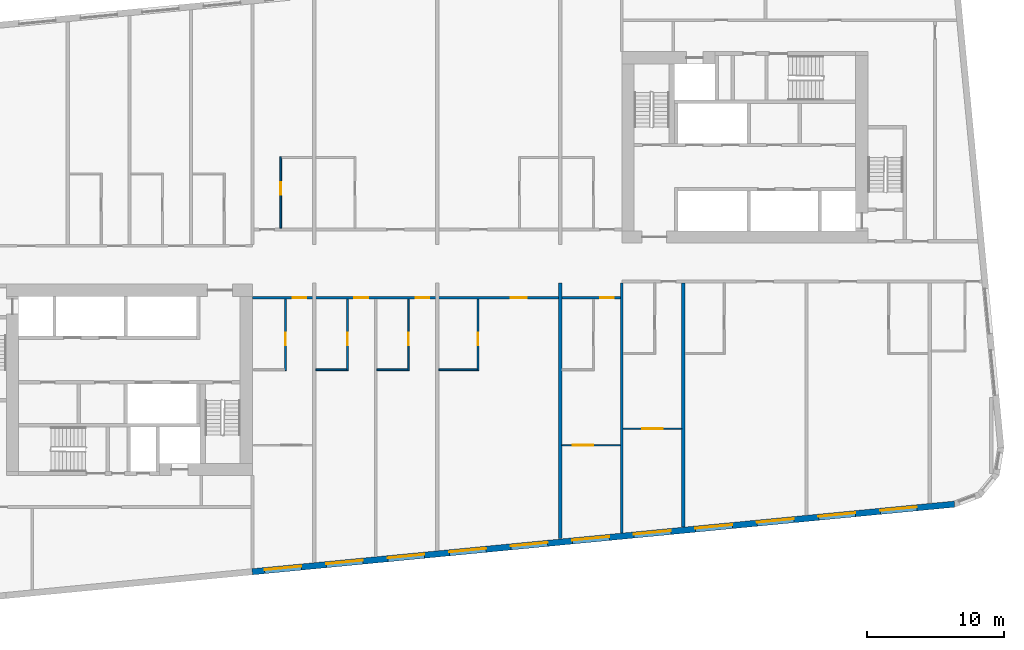
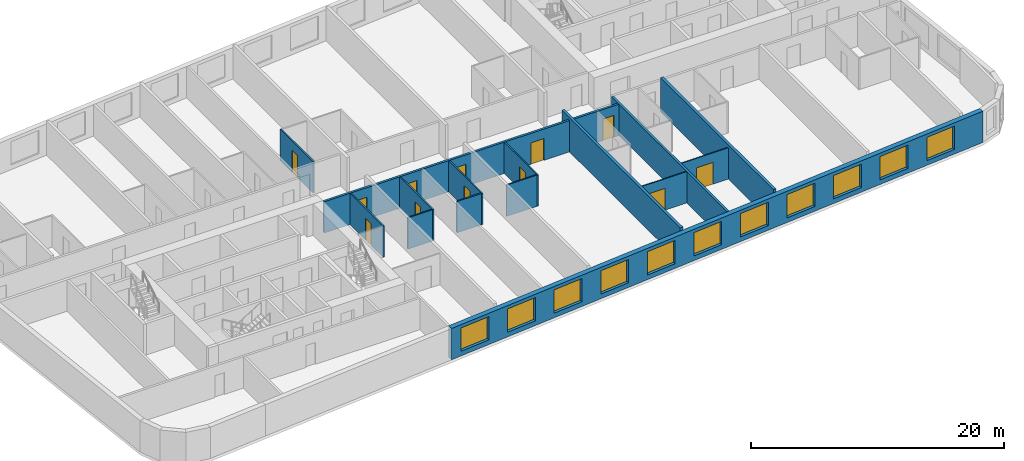
# One storey, part 4 of 12: 15 walls, 12 doors, 11 windows, 23 openings.
"""IFC4 building model written with IfcOpenShell, lengths in metres."""

from ifc_helpers import new_model, si_unit, direction, frame, frame_2d, origin, place, context, subcontext, project, spatial, rectangle, extrude, material, layer, layer_set, type_object, element, fill, save


model = new_model("IFC4")

# Units and contexts
model_context = context("Model", 3, precision=1e-05, world=origin(), true_north=direction((0.0, 1.0)))
body_context = subcontext(model_context, "Body", "Model", "MODEL_VIEW")
ifc_project = project(units=[si_unit("LENGTHUNIT", "METRE"), si_unit("AREAUNIT", "SQUARE_METRE"), si_unit("VOLUMEUNIT", "CUBIC_METRE"), si_unit("PLANEANGLEUNIT", "RADIAN"), si_unit("MASSUNIT", "GRAM", prefix="KILO")], contexts=[model_context])

# Site, building, storey
site_placement = place(None, origin())
site = spatial("IfcSite", under=ifc_project, at=site_placement, CompositionType="ELEMENT")
building_placement = place(site_placement, origin())
building = spatial("IfcBuilding", under=site, at=building_placement, Name="Kajstack Hotel Tower", CompositionType="ELEMENT")
storey_placement = place(building_placement, frame((0.0, 0.0, 183.39990234375)))
storey = spatial("IfcBuildingStorey", under=building, at=storey_placement, Name="L43", CompositionType="ELEMENT", Elevation=183.39990234375)

# Wall, openings, doors
ifc_material_1 = material(Name="Gypsum board on steel studs, mineral wool", Category="steel")
ifc_layer_1 = layer(ifc_material_1, 0.199951171875)
ifc_layer_set_1 = layer_set([ifc_layer_1], Name="Corridor wall 200")
wall_type_1 = type_object("IfcWallType", Name="Corridor wall 200", PredefinedType="PARTITIONING", material=ifc_layer_set_1)
wall_1_placement = place(storey_placement, frame((-13.5, -2.5, 0.0), z_axis=(0.0, 0.0, 1.0), x_axis=(1.0, 0.0, 0.0)))
wall_1 = element("IfcWall", 1, at=wall_1_placement, inside=storey, type_object=wall_type_1, Name="G-wall-L43-025", PredefinedType="PARTITIONING", context=body_context, shape_type="SweptSolid", body=[
    extrude(rectangle(XDim=27.0, YDim=0.199951171875, at=frame_2d((13.5, 0.0))), origin(), (0.0, 0.0, 1.0), 3.02001953125),
])
opening_1_placement = place(wall_1_placement, frame((2.925048828125, 0.0, 0.0)))
opening_1 = element("IfcOpeningElement", 2, at=opening_1_placement, cuts=wall_1, Name="Opening 43019", PredefinedType="OPENING", context=body_context, shape_type="SweptSolid", body=[
    extrude(rectangle(XDim=1.0, YDim=2.10009765625, at=frame_2d((0.5, 1.050048828125))), frame((0.0, 0.10986328125, 0.0), z_axis=(0.0, -1.0, 0.0), x_axis=(1.0, 0.0, 0.0)), (0.0, 0.0, 1.0), 0.219970703125),
])
opening_2_placement = place(wall_1_placement, frame((7.449951171875, 0.0, 0.0)))
opening_2 = element("IfcOpeningElement", 3, at=opening_2_placement, cuts=wall_1, Name="Opening 43022", PredefinedType="OPENING", context=body_context, shape_type="SweptSolid", body=[
    extrude(rectangle(XDim=1.0, YDim=2.10009765625, at=frame_2d((0.5, 1.050048828125))), frame((0.0, 0.10986328125, 0.0), z_axis=(0.0, -1.0, 0.0), x_axis=(1.0, 0.0, 0.0)), (0.0, 0.0, 1.0), 0.219970703125),
])
opening_3_placement = place(wall_1_placement, frame((11.925048828125, 0.0, 0.0)))
opening_3 = element("IfcOpeningElement", 4, at=opening_3_placement, cuts=wall_1, Name="Opening 43024", PredefinedType="OPENING", context=body_context, shape_type="SweptSolid", body=[
    extrude(rectangle(XDim=1.0, YDim=2.10009765625, at=frame_2d((0.5, 1.050048828125))), frame((0.0, 0.10986328125, 0.0), z_axis=(0.0, -1.0, 0.0), x_axis=(1.0, 0.0, 0.0)), (0.0, 0.0, 1.0), 0.219970703125),
])
opening_4_placement = place(wall_1_placement, frame((18.862060546875, 0.0, 0.0)))
opening_4 = element("IfcOpeningElement", 5, at=opening_4_placement, cuts=wall_1, Name="Opening 43026", PredefinedType="OPENING", context=body_context, shape_type="SweptSolid", body=[
    extrude(rectangle(XDim=1.199951171875, YDim=2.10009765625, at=frame_2d((0.60009765625, 1.050048828125))), frame((0.0, 0.10986328125, 0.0), z_axis=(0.0, -1.0, 0.0), x_axis=(1.0, 0.0, 0.0)), (0.0, 0.0, 1.0), 0.219970703125),
])
opening_5_placement = place(wall_1_placement, frame((25.425048828125, 0.0, 0.0)))
opening_5 = element("IfcOpeningElement", 6, at=opening_5_placement, cuts=wall_1, Name="Opening 43028", PredefinedType="OPENING", context=body_context, shape_type="SweptSolid", body=[
    extrude(rectangle(XDim=1.0, YDim=2.10009765625, at=frame_2d((0.5, 1.050048828125))), frame((0.0, 0.10986328125, 0.0), z_axis=(0.0, -1.0, 0.0), x_axis=(1.0, 0.0, 0.0)), (0.0, 0.0, 1.0), 0.219970703125),
])
ifc_material_2 = material(Name="Oak veneer on timber core, fire-rated leaf", Category="wood")
door_type_1 = type_object("IfcDoorType", Name="Flat entrance door 1000", OperationType="SINGLE_SWING_LEFT", PredefinedType="DOOR", material=ifc_material_2)
door_1_placement = place(opening_1_placement, origin())
door_1 = element("IfcDoor", 7, at=door_1_placement, inside=storey, type_object=door_type_1, Name="G-door-L43-19", OperationType="SINGLE_SWING_LEFT", OverallHeight=2.10009765625, OverallWidth=1.0, PredefinedType="DOOR", context=body_context, shape_type="SweptSolid", body=[
    extrude(rectangle(XDim=1.0, YDim=2.10009765625, at=frame_2d((0.5, 1.050048828125))), frame((0.0, 0.02490234375, 0.0), z_axis=(0.0, -1.0, 0.0), x_axis=(1.0, 0.0, 0.0)), (0.0, 0.0, 1.0), 0.050048828125),
])
fill(opening_1, door_1)
door_2_placement = place(opening_2_placement, origin())
door_2 = element("IfcDoor", 8, at=door_2_placement, inside=storey, type_object=door_type_1, Name="G-door-L43-22", OperationType="SINGLE_SWING_RIGHT", OverallHeight=2.10009765625, OverallWidth=1.0, PredefinedType="DOOR", context=body_context, shape_type="SweptSolid", body=[
    extrude(rectangle(XDim=1.0, YDim=2.10009765625, at=frame_2d((0.5, 1.050048828125))), frame((0.0, 0.02490234375, 0.0), z_axis=(0.0, -1.0, 0.0), x_axis=(1.0, 0.0, 0.0)), (0.0, 0.0, 1.0), 0.050048828125),
])
fill(opening_2, door_2)
door_3_placement = place(opening_3_placement, origin())
door_3 = element("IfcDoor", 9, at=door_3_placement, inside=storey, type_object=door_type_1, Name="G-door-L43-24", OperationType="SINGLE_SWING_RIGHT", OverallHeight=2.10009765625, OverallWidth=1.0, PredefinedType="DOOR", context=body_context, shape_type="SweptSolid", body=[
    extrude(rectangle(XDim=1.0, YDim=2.10009765625, at=frame_2d((0.5, 1.050048828125))), frame((0.0, 0.02490234375, 0.0), z_axis=(0.0, -1.0, 0.0), x_axis=(1.0, 0.0, 0.0)), (0.0, 0.0, 1.0), 0.050048828125),
])
fill(opening_3, door_3)
door_4_placement = place(opening_5_placement, origin())
door_4 = element("IfcDoor", 10, at=door_4_placement, inside=storey, type_object=door_type_1, Name="G-door-L43-28", OperationType="SINGLE_SWING_LEFT", OverallHeight=2.10009765625, OverallWidth=1.0, PredefinedType="DOOR", context=body_context, shape_type="SweptSolid", body=[
    extrude(rectangle(XDim=1.0, YDim=2.10009765625, at=frame_2d((0.5, 1.050048828125))), frame((0.0, 0.02490234375, 0.0), z_axis=(0.0, -1.0, 0.0), x_axis=(1.0, 0.0, 0.0)), (0.0, 0.0, 1.0), 0.050048828125),
])
fill(opening_5, door_4)
door_type_2 = type_object("IfcDoorType", Name="Flat entrance door 1200", OperationType="SINGLE_SWING_LEFT", PredefinedType="DOOR", material=ifc_material_2)
door_5_placement = place(opening_4_placement, origin())
door_5 = element("IfcDoor", 11, at=door_5_placement, inside=storey, type_object=door_type_2, Name="G-door-L43-26", OperationType="SINGLE_SWING_LEFT", OverallHeight=2.10009765625, OverallWidth=1.199951171875, PredefinedType="DOOR", context=body_context, shape_type="SweptSolid", body=[
    extrude(rectangle(XDim=1.199951171875, YDim=2.10009765625, at=frame_2d((0.60009765625, 1.050048828125))), frame((0.0, 0.02490234375, 0.0), z_axis=(0.0, -1.0, 0.0), x_axis=(1.0, 0.0, 0.0)), (0.0, 0.0, 1.0), 0.050048828125),
])
fill(opening_4, door_5)

# Wall
ifc_material_3 = material(Name="Twin-frame gypsum board on steel studs, mineral wool", Category="steel")
ifc_layer_2 = layer(ifc_material_3, 0.199951171875)
ifc_layer_set_2 = layer_set([ifc_layer_2], Name="Demising wall 200")
wall_type_2 = type_object("IfcWallType", Name="Demising wall 200", PredefinedType="PARTITIONING", material=ifc_layer_set_2)
wall_2_placement = place(storey_placement, frame((13.5, -19.700927734375, 0.0), z_axis=(0.0, 0.0, 1.0), x_axis=(0.0, 1.0, 0.0)))
element("IfcWall", 12, at=wall_2_placement, inside=storey, type_object=wall_type_2, Name="G-wall-L43-037", PredefinedType="PARTITIONING", context=body_context, shape_type="SweptSolid", body=[
    extrude(rectangle(XDim=18.301025390625, YDim=0.199951171875, at=frame_2d((9.150390625, 0.0))), origin(), (0.0, 0.0, 1.0), 3.02001953125),
])

# Wall, openings, windows
ifc_material_4 = material(Name="Terracotta-faced brick masonry", Category="masonry")
ifc_layer_3 = layer(ifc_material_4, 0.449951171875)
ifc_layer_set_3 = layer_set([ifc_layer_3], Name="EW-TERRA")
wall_type_3 = type_object("IfcWallType", Name="EW-TERRA", PredefinedType="SOLIDWALL", material=ifc_layer_set_3)
wall_3_placement = place(storey_placement, frame((-13.521484375, -22.528564453125, 0.0), z_axis=(0.0, 0.0, 1.0), x_axis=(0.995396436651, 0.095843277819, 0.0)))
wall_3 = element("IfcWall", 13, at=wall_3_placement, inside=storey, type_object=wall_type_3, Name="E-wall-L43-04-02", PredefinedType="SOLIDWALL", context=body_context, shape_type="SweptSolid", body=[
    extrude(rectangle(XDim=51.57763671875, YDim=0.449951171875, at=frame_2d((25.788818359375, 0.0))), origin(), (0.0, 0.0, 1.0), 3.02001953125),
])
opening_6_placement = place(wall_3_placement, frame((0.910400390625, 0.0, 0.449951171875)))
opening_6 = element("IfcOpeningElement", 14, at=opening_6_placement, cuts=wall_3, Name="Opening W1", PredefinedType="OPENING", context=body_context, shape_type="SweptSolid", body=[
    extrude(rectangle(XDim=2.699951171875, YDim=2.25, at=frame_2d((1.35009765625, 1.125))), frame((0.0, 0.23486328125, 0.0), z_axis=(0.0, -1.0, 0.0), x_axis=(1.0, 0.0, 0.0)), (0.0, 0.0, 1.0), 0.469970703125),
])
opening_7_placement = place(wall_3_placement, frame((5.431396484375, 0.0, 0.449951171875)))
opening_7 = element("IfcOpeningElement", 15, at=opening_7_placement, cuts=wall_3, Name="Opening W1", PredefinedType="OPENING", context=body_context, shape_type="SweptSolid", body=[
    extrude(rectangle(XDim=2.699951171875, YDim=2.25, at=frame_2d((1.35009765625, 1.125))), frame((0.0, 0.23486328125, 0.0), z_axis=(0.0, -1.0, 0.0), x_axis=(1.0, 0.0, 0.0)), (0.0, 0.0, 1.0), 0.469970703125),
])
opening_8_placement = place(wall_3_placement, frame((9.9521484375, 0.0, 0.449951171875)))
opening_8 = element("IfcOpeningElement", 16, at=opening_8_placement, cuts=wall_3, Name="Opening W1", PredefinedType="OPENING", context=body_context, shape_type="SweptSolid", body=[
    extrude(rectangle(XDim=2.699951171875, YDim=2.25, at=frame_2d((1.35009765625, 1.125))), frame((0.0, 0.23486328125, 0.0), z_axis=(0.0, -1.0, 0.0), x_axis=(1.0, 0.0, 0.0)), (0.0, 0.0, 1.0), 0.469970703125),
])
opening_9_placement = place(wall_3_placement, frame((14.472900390625, 0.0, 0.449951171875)))
opening_9 = element("IfcOpeningElement", 17, at=opening_9_placement, cuts=wall_3, Name="Opening W1", PredefinedType="OPENING", context=body_context, shape_type="SweptSolid", body=[
    extrude(rectangle(XDim=2.699951171875, YDim=2.25, at=frame_2d((1.35009765625, 1.125))), frame((0.0, 0.23486328125, 0.0), z_axis=(0.0, -1.0, 0.0), x_axis=(1.0, 0.0, 0.0)), (0.0, 0.0, 1.0), 0.469970703125),
])
opening_10_placement = place(wall_3_placement, frame((18.99365234375, 0.0, 0.449951171875)))
opening_10 = element("IfcOpeningElement", 18, at=opening_10_placement, cuts=wall_3, Name="Opening W1", PredefinedType="OPENING", context=body_context, shape_type="SweptSolid", body=[
    extrude(rectangle(XDim=2.699951171875, YDim=2.25, at=frame_2d((1.35009765625, 1.125))), frame((0.0, 0.23486328125, 0.0), z_axis=(0.0, -1.0, 0.0), x_axis=(1.0, 0.0, 0.0)), (0.0, 0.0, 1.0), 0.469970703125),
])
opening_11_placement = place(wall_3_placement, frame((23.514404296875, 0.0, 0.449951171875)))
opening_11 = element("IfcOpeningElement", 19, at=opening_11_placement, cuts=wall_3, Name="Opening W1", PredefinedType="OPENING", context=body_context, shape_type="SweptSolid", body=[
    extrude(rectangle(XDim=2.699951171875, YDim=2.25, at=frame_2d((1.35009765625, 1.125))), frame((0.0, 0.23486328125, 0.0), z_axis=(0.0, -1.0, 0.0), x_axis=(1.0, 0.0, 0.0)), (0.0, 0.0, 1.0), 0.469970703125),
])
opening_12_placement = place(wall_3_placement, frame((28.035400390625, 0.0, 0.449951171875)))
opening_12 = element("IfcOpeningElement", 20, at=opening_12_placement, cuts=wall_3, Name="Opening W1", PredefinedType="OPENING", context=body_context, shape_type="SweptSolid", body=[
    extrude(rectangle(XDim=2.699951171875, YDim=2.25, at=frame_2d((1.35009765625, 1.125))), frame((0.0, 0.23486328125, 0.0), z_axis=(0.0, -1.0, 0.0), x_axis=(1.0, 0.0, 0.0)), (0.0, 0.0, 1.0), 0.469970703125),
])
opening_13_placement = place(wall_3_placement, frame((32.55615234375, 0.0, 0.449951171875)))
opening_13 = element("IfcOpeningElement", 21, at=opening_13_placement, cuts=wall_3, Name="Opening W1", PredefinedType="OPENING", context=body_context, shape_type="SweptSolid", body=[
    extrude(rectangle(XDim=2.699951171875, YDim=2.25, at=frame_2d((1.35009765625, 1.125))), frame((0.0, 0.23486328125, 0.0), z_axis=(0.0, -1.0, 0.0), x_axis=(1.0, 0.0, 0.0)), (0.0, 0.0, 1.0), 0.469970703125),
])
opening_14_placement = place(wall_3_placement, frame((37.076904296875, 0.0, 0.449951171875)))
opening_14 = element("IfcOpeningElement", 22, at=opening_14_placement, cuts=wall_3, Name="Opening W1", PredefinedType="OPENING", context=body_context, shape_type="SweptSolid", body=[
    extrude(rectangle(XDim=2.699951171875, YDim=2.25, at=frame_2d((1.35009765625, 1.125))), frame((0.0, 0.23486328125, 0.0), z_axis=(0.0, -1.0, 0.0), x_axis=(1.0, 0.0, 0.0)), (0.0, 0.0, 1.0), 0.469970703125),
])
opening_15_placement = place(wall_3_placement, frame((41.597900390625, 0.0, 0.449951171875)))
opening_15 = element("IfcOpeningElement", 23, at=opening_15_placement, cuts=wall_3, Name="Opening W1", PredefinedType="OPENING", context=body_context, shape_type="SweptSolid", body=[
    extrude(rectangle(XDim=2.699951171875, YDim=2.25, at=frame_2d((1.35009765625, 1.125))), frame((0.0, 0.23486328125, 0.0), z_axis=(0.0, -1.0, 0.0), x_axis=(1.0, 0.0, 0.0)), (0.0, 0.0, 1.0), 0.469970703125),
])
opening_16_placement = place(wall_3_placement, frame((46.11865234375, 0.0, 0.449951171875)))
opening_16 = element("IfcOpeningElement", 24, at=opening_16_placement, cuts=wall_3, Name="Opening W1", PredefinedType="OPENING", context=body_context, shape_type="SweptSolid", body=[
    extrude(rectangle(XDim=2.699951171875, YDim=2.25, at=frame_2d((1.35009765625, 1.125))), frame((0.0, 0.23486328125, 0.0), z_axis=(0.0, -1.0, 0.0), x_axis=(1.0, 0.0, 0.0)), (0.0, 0.0, 1.0), 0.469970703125),
])
ifc_material_5 = material(Name="Timber-aluminium window, triple glazed", Category="wood")
window_type = type_object("IfcWindowType", Name="WG1", PartitioningType="SINGLE_PANEL", PredefinedType="WINDOW", material=ifc_material_5)
window_1_placement = place(opening_6_placement, origin())
window_1 = element("IfcWindow", 25, at=window_1_placement, inside=storey, type_object=window_type, Name="Window W1 L43-04", OverallHeight=2.25, OverallWidth=2.699951171875, PartitioningType="SINGLE_PANEL", PredefinedType="WINDOW", context=body_context, shape_type="SweptSolid", body=[
    extrude(rectangle(XDim=2.699951171875, YDim=2.25, at=frame_2d((1.35009765625, 1.125))), frame((0.0, 0.090087890625, 0.0), z_axis=(0.0, -1.0, 0.0), x_axis=(1.0, 0.0, 0.0)), (0.0, 0.0, 1.0), 0.06005859375),
])
fill(opening_6, window_1)
window_2_placement = place(opening_7_placement, origin())
window_2 = element("IfcWindow", 26, at=window_2_placement, inside=storey, type_object=window_type, Name="Window W1 L43-04", OverallHeight=2.25, OverallWidth=2.699951171875, PartitioningType="SINGLE_PANEL", PredefinedType="WINDOW", context=body_context, shape_type="SweptSolid", body=[
    extrude(rectangle(XDim=2.699951171875, YDim=2.25, at=frame_2d((1.35009765625, 1.125))), frame((0.0, 0.090087890625, 0.0), z_axis=(0.0, -1.0, 0.0), x_axis=(1.0, 0.0, 0.0)), (0.0, 0.0, 1.0), 0.06005859375),
])
fill(opening_7, window_2)
window_3_placement = place(opening_8_placement, origin())
window_3 = element("IfcWindow", 27, at=window_3_placement, inside=storey, type_object=window_type, Name="Window W1 L43-04", OverallHeight=2.25, OverallWidth=2.699951171875, PartitioningType="SINGLE_PANEL", PredefinedType="WINDOW", context=body_context, shape_type="SweptSolid", body=[
    extrude(rectangle(XDim=2.699951171875, YDim=2.25, at=frame_2d((1.35009765625, 1.125))), frame((0.0, 0.090087890625, 0.0), z_axis=(0.0, -1.0, 0.0), x_axis=(1.0, 0.0, 0.0)), (0.0, 0.0, 1.0), 0.06005859375),
])
fill(opening_8, window_3)
window_4_placement = place(opening_9_placement, origin())
window_4 = element("IfcWindow", 28, at=window_4_placement, inside=storey, type_object=window_type, Name="Window W1 L43-04", OverallHeight=2.25, OverallWidth=2.699951171875, PartitioningType="SINGLE_PANEL", PredefinedType="WINDOW", context=body_context, shape_type="SweptSolid", body=[
    extrude(rectangle(XDim=2.699951171875, YDim=2.25, at=frame_2d((1.35009765625, 1.125))), frame((0.0, 0.090087890625, 0.0), z_axis=(0.0, -1.0, 0.0), x_axis=(1.0, 0.0, 0.0)), (0.0, 0.0, 1.0), 0.06005859375),
])
fill(opening_9, window_4)
window_5_placement = place(opening_10_placement, origin())
window_5 = element("IfcWindow", 29, at=window_5_placement, inside=storey, type_object=window_type, Name="Window W1 L43-04", OverallHeight=2.25, OverallWidth=2.699951171875, PartitioningType="SINGLE_PANEL", PredefinedType="WINDOW", context=body_context, shape_type="SweptSolid", body=[
    extrude(rectangle(XDim=2.699951171875, YDim=2.25, at=frame_2d((1.35009765625, 1.125))), frame((0.0, 0.090087890625, 0.0), z_axis=(0.0, -1.0, 0.0), x_axis=(1.0, 0.0, 0.0)), (0.0, 0.0, 1.0), 0.06005859375),
])
fill(opening_10, window_5)
window_6_placement = place(opening_11_placement, origin())
window_6 = element("IfcWindow", 30, at=window_6_placement, inside=storey, type_object=window_type, Name="Window W1 L43-04", OverallHeight=2.25, OverallWidth=2.699951171875, PartitioningType="SINGLE_PANEL", PredefinedType="WINDOW", context=body_context, shape_type="SweptSolid", body=[
    extrude(rectangle(XDim=2.699951171875, YDim=2.25, at=frame_2d((1.35009765625, 1.125))), frame((0.0, 0.090087890625, 0.0), z_axis=(0.0, -1.0, 0.0), x_axis=(1.0, 0.0, 0.0)), (0.0, 0.0, 1.0), 0.06005859375),
])
fill(opening_11, window_6)
window_7_placement = place(opening_12_placement, origin())
window_7 = element("IfcWindow", 31, at=window_7_placement, inside=storey, type_object=window_type, Name="Window W1 L43-04", OverallHeight=2.25, OverallWidth=2.699951171875, PartitioningType="SINGLE_PANEL", PredefinedType="WINDOW", context=body_context, shape_type="SweptSolid", body=[
    extrude(rectangle(XDim=2.699951171875, YDim=2.25, at=frame_2d((1.35009765625, 1.125))), frame((0.0, 0.090087890625, 0.0), z_axis=(0.0, -1.0, 0.0), x_axis=(1.0, 0.0, 0.0)), (0.0, 0.0, 1.0), 0.06005859375),
])
fill(opening_12, window_7)
window_8_placement = place(opening_13_placement, origin())
window_8 = element("IfcWindow", 32, at=window_8_placement, inside=storey, type_object=window_type, Name="Window W1 L43-04", OverallHeight=2.25, OverallWidth=2.699951171875, PartitioningType="SINGLE_PANEL", PredefinedType="WINDOW", context=body_context, shape_type="SweptSolid", body=[
    extrude(rectangle(XDim=2.699951171875, YDim=2.25, at=frame_2d((1.35009765625, 1.125))), frame((0.0, 0.090087890625, 0.0), z_axis=(0.0, -1.0, 0.0), x_axis=(1.0, 0.0, 0.0)), (0.0, 0.0, 1.0), 0.06005859375),
])
fill(opening_13, window_8)
window_9_placement = place(opening_14_placement, origin())
window_9 = element("IfcWindow", 33, at=window_9_placement, inside=storey, type_object=window_type, Name="Window W1 L43-04", OverallHeight=2.25, OverallWidth=2.699951171875, PartitioningType="SINGLE_PANEL", PredefinedType="WINDOW", context=body_context, shape_type="SweptSolid", body=[
    extrude(rectangle(XDim=2.699951171875, YDim=2.25, at=frame_2d((1.35009765625, 1.125))), frame((0.0, 0.090087890625, 0.0), z_axis=(0.0, -1.0, 0.0), x_axis=(1.0, 0.0, 0.0)), (0.0, 0.0, 1.0), 0.06005859375),
])
fill(opening_14, window_9)
window_10_placement = place(opening_15_placement, origin())
window_10 = element("IfcWindow", 34, at=window_10_placement, inside=storey, type_object=window_type, Name="Window W1 L43-04", OverallHeight=2.25, OverallWidth=2.699951171875, PartitioningType="SINGLE_PANEL", PredefinedType="WINDOW", context=body_context, shape_type="SweptSolid", body=[
    extrude(rectangle(XDim=2.699951171875, YDim=2.25, at=frame_2d((1.35009765625, 1.125))), frame((0.0, 0.090087890625, 0.0), z_axis=(0.0, -1.0, 0.0), x_axis=(1.0, 0.0, 0.0)), (0.0, 0.0, 1.0), 0.06005859375),
])
fill(opening_15, window_10)
window_11_placement = place(opening_16_placement, origin())
window_11 = element("IfcWindow", 35, at=window_11_placement, inside=storey, type_object=window_type, Name="Window W1 L43-04", OverallHeight=2.25, OverallWidth=2.699951171875, PartitioningType="SINGLE_PANEL", PredefinedType="WINDOW", context=body_context, shape_type="SweptSolid", body=[
    extrude(rectangle(XDim=2.699951171875, YDim=2.25, at=frame_2d((1.35009765625, 1.125))), frame((0.0, 0.090087890625, 0.0), z_axis=(0.0, -1.0, 0.0), x_axis=(1.0, 0.0, 0.0)), (0.0, 0.0, 1.0), 0.06005859375),
])
fill(opening_16, window_11)

# Wall, opening, door
ifc_material_6 = material(Name="Gypsum board and tiled backer on steel studs", Category="steel")
ifc_layer_4 = layer(ifc_material_6, 0.125)
ifc_layer_set_4 = layer_set([ifc_layer_4], Name="En-suite wall 125")
wall_type_4 = type_object("IfcWallType", Name="En-suite wall 125", PredefinedType="PARTITIONING", material=ifc_layer_set_4)
wall_4_placement = place(storey_placement, frame((-11.43798828125, 2.60009765625, 0.0), z_axis=(0.0, 0.0, 1.0), x_axis=(0.0, 1.0, 0.0)))
wall_4 = element("IfcWall", 36, at=wall_4_placement, inside=storey, type_object=wall_type_4, Name="G-wall-L43-017", PredefinedType="PARTITIONING", context=body_context, shape_type="SweptSolid", body=[
    extrude(rectangle(XDim=5.224853515625, YDim=0.125, at=frame_2d((2.6123046875, 0.0))), origin(), (0.0, 0.0, 1.0), 3.02001953125),
])
opening_17_placement = place(wall_4_placement, frame((2.449951171875, 0.0, 0.0)))
opening_17 = element("IfcOpeningElement", 37, at=opening_17_placement, cuts=wall_4, Name="Opening 43012", PredefinedType="OPENING", context=body_context, shape_type="SweptSolid", body=[
    extrude(rectangle(XDim=0.89990234375, YDim=2.10009765625, at=frame_2d((0.449951171875, 1.050048828125))), frame((0.0, 0.072509765625, 0.0), z_axis=(0.0, -1.0, 0.0), x_axis=(1.0, 0.0, 0.0)), (0.0, 0.0, 1.0), 0.14501953125),
])
ifc_material_7 = material(Name="Painted timber door leaf", Category="wood")
door_type_3 = type_object("IfcDoorType", Name="Room door 900", OperationType="SINGLE_SWING_LEFT", PredefinedType="DOOR", material=ifc_material_7)
door_6_placement = place(opening_17_placement, origin())
door_6 = element("IfcDoor", 38, at=door_6_placement, inside=storey, type_object=door_type_3, Name="G-door-L43-12", OperationType="SINGLE_SWING_LEFT", OverallHeight=2.10009765625, OverallWidth=0.89990234375, PredefinedType="DOOR", context=body_context, shape_type="SweptSolid", body=[
    extrude(rectangle(XDim=0.89990234375, YDim=2.10009765625, at=frame_2d((0.449951171875, 1.050048828125))), frame((0.0, 0.02490234375, 0.0), z_axis=(0.0, -1.0, 0.0), x_axis=(1.0, 0.0, 0.0)), (0.0, 0.0, 1.0), 0.050048828125),
])
fill(opening_17, door_6)

wall_5_placement = place(storey_placement, frame((-11.087890625, -7.824951171875, 0.0), z_axis=(0.0, 0.0, 1.0), x_axis=(0.0, 1.0, 0.0)))
wall_5 = element("IfcWall", 39, at=wall_5_placement, inside=storey, type_object=wall_type_4, Name="G-wall-L43-027", PredefinedType="PARTITIONING", context=body_context, shape_type="SweptSolid", body=[
    extrude(rectangle(XDim=5.224853515625, YDim=0.125, at=frame_2d((2.6123046875, 0.0))), origin(), (0.0, 0.0, 1.0), 3.02001953125),
])
opening_18_placement = place(wall_5_placement, frame((1.875, 0.0, 0.0)))
opening_18 = element("IfcOpeningElement", 40, at=opening_18_placement, cuts=wall_5, Name="Opening 43020", PredefinedType="OPENING", context=body_context, shape_type="SweptSolid", body=[
    extrude(rectangle(XDim=0.89990234375, YDim=2.10009765625, at=frame_2d((0.449951171875, 1.050048828125))), frame((0.0, 0.072509765625, 0.0), z_axis=(0.0, -1.0, 0.0), x_axis=(1.0, 0.0, 0.0)), (0.0, 0.0, 1.0), 0.14501953125),
])
door_7_placement = place(opening_18_placement, origin())
door_7 = element("IfcDoor", 41, at=door_7_placement, inside=storey, type_object=door_type_3, Name="G-door-L43-20", OperationType="SINGLE_SWING_RIGHT", OverallHeight=2.10009765625, OverallWidth=0.89990234375, PredefinedType="DOOR", context=body_context, shape_type="SweptSolid", body=[
    extrude(rectangle(XDim=0.89990234375, YDim=2.10009765625, at=frame_2d((0.449951171875, 1.050048828125))), frame((0.0, 0.02490234375, 0.0), z_axis=(0.0, -1.0, 0.0), x_axis=(1.0, 0.0, 0.0)), (0.0, 0.0, 1.0), 0.050048828125),
])
fill(opening_18, door_7)

wall_6_placement = place(storey_placement, frame((-6.56201171875, -7.824951171875, 0.0), z_axis=(0.0, 0.0, 1.0), x_axis=(0.0, 1.0, 0.0)))
wall_6 = element("IfcWall", 42, at=wall_6_placement, inside=storey, type_object=wall_type_4, Name="G-wall-L43-031", PredefinedType="PARTITIONING", context=body_context, shape_type="SweptSolid", body=[
    extrude(rectangle(XDim=5.224853515625, YDim=0.125, at=frame_2d((2.6123046875, 0.0))), origin(), (0.0, 0.0, 1.0), 3.02001953125),
])
opening_19_placement = place(wall_6_placement, frame((1.875, 0.0, 0.0)))
opening_19 = element("IfcOpeningElement", 43, at=opening_19_placement, cuts=wall_6, Name="Opening 43023", PredefinedType="OPENING", context=body_context, shape_type="SweptSolid", body=[
    extrude(rectangle(XDim=0.89990234375, YDim=2.10009765625, at=frame_2d((0.449951171875, 1.050048828125))), frame((0.0, 0.072509765625, 0.0), z_axis=(0.0, -1.0, 0.0), x_axis=(1.0, 0.0, 0.0)), (0.0, 0.0, 1.0), 0.14501953125),
])
door_8_placement = place(opening_19_placement, origin())
door_8 = element("IfcDoor", 44, at=door_8_placement, inside=storey, type_object=door_type_3, Name="G-door-L43-23", OperationType="SINGLE_SWING_LEFT", OverallHeight=2.10009765625, OverallWidth=0.89990234375, PredefinedType="DOOR", context=body_context, shape_type="SweptSolid", body=[
    extrude(rectangle(XDim=0.89990234375, YDim=2.10009765625, at=frame_2d((0.449951171875, 1.050048828125))), frame((0.0, 0.02490234375, 0.0), z_axis=(0.0, -1.0, 0.0), x_axis=(1.0, 0.0, 0.0)), (0.0, 0.0, 1.0), 0.050048828125),
])
fill(opening_19, door_8)

# Wall
wall_7_placement = place(storey_placement, frame((-8.875, -7.761962890625, 0.0), z_axis=(0.0, 0.0, 1.0), x_axis=(1.0, 0.0, 0.0)))
element("IfcWall", 45, at=wall_7_placement, inside=storey, type_object=wall_type_4, Name="G-wall-L43-032", PredefinedType="PARTITIONING", context=body_context, shape_type="SweptSolid", body=[
    extrude(rectangle(XDim=2.25, YDim=0.125, at=frame_2d((1.125, 0.0))), origin(), (0.0, 0.0, 1.0), 3.02001953125),
])

# Wall, opening, door
wall_8_placement = place(storey_placement, frame((-2.0869140625, -7.824951171875, 0.0), z_axis=(0.0, 0.0, 1.0), x_axis=(0.0, 1.0, 0.0)))
wall_8 = element("IfcWall", 46, at=wall_8_placement, inside=storey, type_object=wall_type_4, Name="G-wall-L43-033", PredefinedType="PARTITIONING", context=body_context, shape_type="SweptSolid", body=[
    extrude(rectangle(XDim=5.224853515625, YDim=0.125, at=frame_2d((2.6123046875, 0.0))), origin(), (0.0, 0.0, 1.0), 3.02001953125),
])
opening_20_placement = place(wall_8_placement, frame((1.875, 0.0, 0.0)))
opening_20 = element("IfcOpeningElement", 47, at=opening_20_placement, cuts=wall_8, Name="Opening 43025", PredefinedType="OPENING", context=body_context, shape_type="SweptSolid", body=[
    extrude(rectangle(XDim=0.89990234375, YDim=2.10009765625, at=frame_2d((0.449951171875, 1.050048828125))), frame((0.0, 0.072509765625, 0.0), z_axis=(0.0, -1.0, 0.0), x_axis=(1.0, 0.0, 0.0)), (0.0, 0.0, 1.0), 0.14501953125),
])
door_9_placement = place(opening_20_placement, origin())
door_9 = element("IfcDoor", 48, at=door_9_placement, inside=storey, type_object=door_type_3, Name="G-door-L43-25", OperationType="SINGLE_SWING_LEFT", OverallHeight=2.10009765625, OverallWidth=0.89990234375, PredefinedType="DOOR", context=body_context, shape_type="SweptSolid", body=[
    extrude(rectangle(XDim=0.89990234375, YDim=2.10009765625, at=frame_2d((0.449951171875, 1.050048828125))), frame((0.0, 0.02490234375, 0.0), z_axis=(0.0, -1.0, 0.0), x_axis=(1.0, 0.0, 0.0)), (0.0, 0.0, 1.0), 0.050048828125),
])
fill(opening_20, door_9)

# Wall
wall_9_placement = place(storey_placement, frame((-4.39990234375, -7.761962890625, 0.0), z_axis=(0.0, 0.0, 1.0), x_axis=(1.0, 0.0, 0.0)))
element("IfcWall", 49, at=wall_9_placement, inside=storey, type_object=wall_type_4, Name="G-wall-L43-034", PredefinedType="PARTITIONING", context=body_context, shape_type="SweptSolid", body=[
    extrude(rectangle(XDim=2.25, YDim=0.125, at=frame_2d((1.125, 0.0))), origin(), (0.0, 0.0, 1.0), 3.02001953125),
])

# Wall, opening, door
wall_10_placement = place(storey_placement, frame((2.987060546875, -7.824951171875, 0.0), z_axis=(0.0, 0.0, 1.0), x_axis=(0.0, 1.0, 0.0)))
wall_10 = element("IfcWall", 50, at=wall_10_placement, inside=storey, type_object=wall_type_4, Name="G-wall-L43-035", PredefinedType="PARTITIONING", context=body_context, shape_type="SweptSolid", body=[
    extrude(rectangle(XDim=5.224853515625, YDim=0.125, at=frame_2d((2.6123046875, 0.0))), origin(), (0.0, 0.0, 1.0), 3.02001953125),
])
opening_21_placement = place(wall_10_placement, frame((1.875, 0.0, 0.0)))
opening_21 = element("IfcOpeningElement", 51, at=opening_21_placement, cuts=wall_10, Name="Opening 43027", PredefinedType="OPENING", context=body_context, shape_type="SweptSolid", body=[
    extrude(rectangle(XDim=0.89990234375, YDim=2.10009765625, at=frame_2d((0.449951171875, 1.050048828125))), frame((0.0, 0.072509765625, 0.0), z_axis=(0.0, -1.0, 0.0), x_axis=(1.0, 0.0, 0.0)), (0.0, 0.0, 1.0), 0.14501953125),
])
door_10_placement = place(opening_21_placement, origin())
door_10 = element("IfcDoor", 52, at=door_10_placement, inside=storey, type_object=door_type_3, Name="G-door-L43-27", OperationType="SINGLE_SWING_LEFT", OverallHeight=2.10009765625, OverallWidth=0.89990234375, PredefinedType="DOOR", context=body_context, shape_type="SweptSolid", body=[
    extrude(rectangle(XDim=0.89990234375, YDim=2.10009765625, at=frame_2d((0.449951171875, 1.050048828125))), frame((0.0, 0.02490234375, 0.0), z_axis=(0.0, -1.0, 0.0), x_axis=(1.0, 0.0, 0.0)), (0.0, 0.0, 1.0), 0.050048828125),
])
fill(opening_21, door_10)

# Wall
wall_11_placement = place(storey_placement, frame((0.125, -7.761962890625, 0.0), z_axis=(0.0, 0.0, 1.0), x_axis=(1.0, 0.0, 0.0)))
element("IfcWall", 53, at=wall_11_placement, inside=storey, type_object=wall_type_4, Name="G-wall-L43-036", PredefinedType="PARTITIONING", context=body_context, shape_type="SweptSolid", body=[
    extrude(rectangle(XDim=2.800048828125, YDim=0.125, at=frame_2d((1.39990234375, 0.0))), origin(), (0.0, 0.0, 1.0), 3.02001953125),
])

# Wall, opening, door
ifc_material_8 = material(Name="Gypsum board on steel studs", Category="steel")
ifc_layer_5 = layer(ifc_material_8, 0.10009765625)
ifc_layer_set_5 = layer_set([ifc_layer_5], Name="Partition 100")
wall_type_5 = type_object("IfcWallType", Name="Partition 100", PredefinedType="PARTITIONING", material=ifc_layer_set_5)
wall_12_placement = place(storey_placement, frame((9.125, -13.27490234375, 0.0), z_axis=(0.0, 0.0, 1.0), x_axis=(1.0, 0.0, 0.0)))
wall_12 = element("IfcWall", 54, at=wall_12_placement, inside=storey, type_object=wall_type_5, Name="G-wall-L43-040", PredefinedType="PARTITIONING", context=body_context, shape_type="SweptSolid", body=[
    extrude(rectangle(XDim=4.27490234375, YDim=0.10009765625, at=frame_2d((2.137451171875, 0.0))), origin(), (0.0, 0.0, 1.0), 3.02001953125),
])
opening_22_placement = place(wall_12_placement, frame((0.787109375, 0.0, 0.0)))
opening_22 = element("IfcOpeningElement", 55, at=opening_22_placement, cuts=wall_12, Name="Opening 43030", PredefinedType="OPENING", context=body_context, shape_type="SweptSolid", body=[
    extrude(rectangle(XDim=1.5, YDim=2.10009765625, at=frame_2d((0.75, 1.050048828125))), frame((0.0, 0.06005859375, 0.0), z_axis=(0.0, -1.0, 0.0), x_axis=(1.0, 0.0, 0.0)), (0.0, 0.0, 1.0), 0.1201171875),
])
ifc_material_9 = material(Name="Painted timber door leaves, glazed panels", Category="wood")
door_type_4 = type_object("IfcDoorType", Name="Double door 1500", OperationType="SINGLE_SWING_LEFT", PredefinedType="DOOR", material=ifc_material_9)
door_11_placement = place(opening_22_placement, origin())
door_11 = element("IfcDoor", 56, at=door_11_placement, inside=storey, type_object=door_type_4, Name="G-door-L43-30", OperationType="SINGLE_SWING_RIGHT", OverallHeight=2.10009765625, OverallWidth=1.5, PredefinedType="DOOR", context=body_context, shape_type="SweptSolid", body=[
    extrude(rectangle(XDim=1.5, YDim=2.10009765625, at=frame_2d((0.75, 1.050048828125))), frame((0.0, 0.02490234375, 0.0), z_axis=(0.0, -1.0, 0.0), x_axis=(1.0, 0.0, 0.0)), (0.0, 0.0, 1.0), 0.050048828125),
])
fill(opening_22, door_11)

wall_13_placement = place(storey_placement, frame((13.60009765625, -12.074951171875, 0.0), z_axis=(0.0, 0.0, 1.0), x_axis=(1.0, 0.0, 0.0)))
wall_13 = element("IfcWall", 57, at=wall_13_placement, inside=storey, type_object=wall_type_5, Name="G-wall-L43-043", PredefinedType="PARTITIONING", context=body_context, shape_type="SweptSolid", body=[
    extrude(rectangle(XDim=4.27490234375, YDim=0.10009765625, at=frame_2d((2.137451171875, 0.0))), origin(), (0.0, 0.0, 1.0), 3.02001953125),
])
opening_23_placement = place(wall_13_placement, frame((1.387939453125, 0.0, 0.0)))
opening_23 = element("IfcOpeningElement", 58, at=opening_23_placement, cuts=wall_13, Name="Opening 43033", PredefinedType="OPENING", context=body_context, shape_type="SweptSolid", body=[
    extrude(rectangle(XDim=1.5, YDim=2.10009765625, at=frame_2d((0.75, 1.050048828125))), frame((0.0, 0.06005859375, 0.0), z_axis=(0.0, -1.0, 0.0), x_axis=(1.0, 0.0, 0.0)), (0.0, 0.0, 1.0), 0.1201171875),
])
door_12_placement = place(opening_23_placement, origin())
door_12 = element("IfcDoor", 59, at=door_12_placement, inside=storey, type_object=door_type_4, Name="G-door-L43-33", OperationType="SINGLE_SWING_RIGHT", OverallHeight=2.10009765625, OverallWidth=1.5, PredefinedType="DOOR", context=body_context, shape_type="SweptSolid", body=[
    extrude(rectangle(XDim=1.5, YDim=2.10009765625, at=frame_2d((0.75, 1.050048828125))), frame((0.0, 0.02490234375, 0.0), z_axis=(0.0, -1.0, 0.0), x_axis=(1.0, 0.0, 0.0)), (0.0, 0.0, 1.0), 0.050048828125),
])
fill(opening_23, door_12)

# Walls
ifc_material_10 = material(Name="Concrete C50/60", Category="concrete")
ifc_layer_6 = layer(ifc_material_10, 0.25)
ifc_layer_set_6 = layer_set([ifc_layer_6], Name="RC cross wall 250 C50/60")
wall_type_6 = type_object("IfcWallType", Name="RC cross wall 250 C50/60", PredefinedType="SHEAR", material=ifc_layer_set_6)
wall_14_placement = place(storey_placement, frame((9.0, -20.11181640625, 0.0), z_axis=(0.0, 0.0, 1.0), x_axis=(0.0, 1.0, 0.0)))
element("IfcWall", 60, at=wall_14_placement, inside=storey, type_object=wall_type_6, Name="S-wall-L43-08", PredefinedType="SHEAR", context=body_context, shape_type="SweptSolid", body=[
    extrude(rectangle(XDim=18.7119140625, YDim=0.25, at=frame_2d((9.35595703125, 0.0))), origin(), (0.0, 0.0, 1.0), 3.300048828125),
])
wall_15_placement = place(storey_placement, frame((18.0, -19.245361328125, 0.0), z_axis=(0.0, 0.0, 1.0), x_axis=(0.0, 1.0, 0.0)))
element("IfcWall", 61, at=wall_15_placement, inside=storey, type_object=wall_type_6, Name="S-wall-L43-10", PredefinedType="SHEAR", context=body_context, shape_type="SweptSolid", body=[
    extrude(rectangle(XDim=17.845458984375, YDim=0.25, at=frame_2d((8.9228515625, 0.0))), origin(), (0.0, 0.0, 1.0), 3.300048828125),
])

save(model, "model.ifc")
